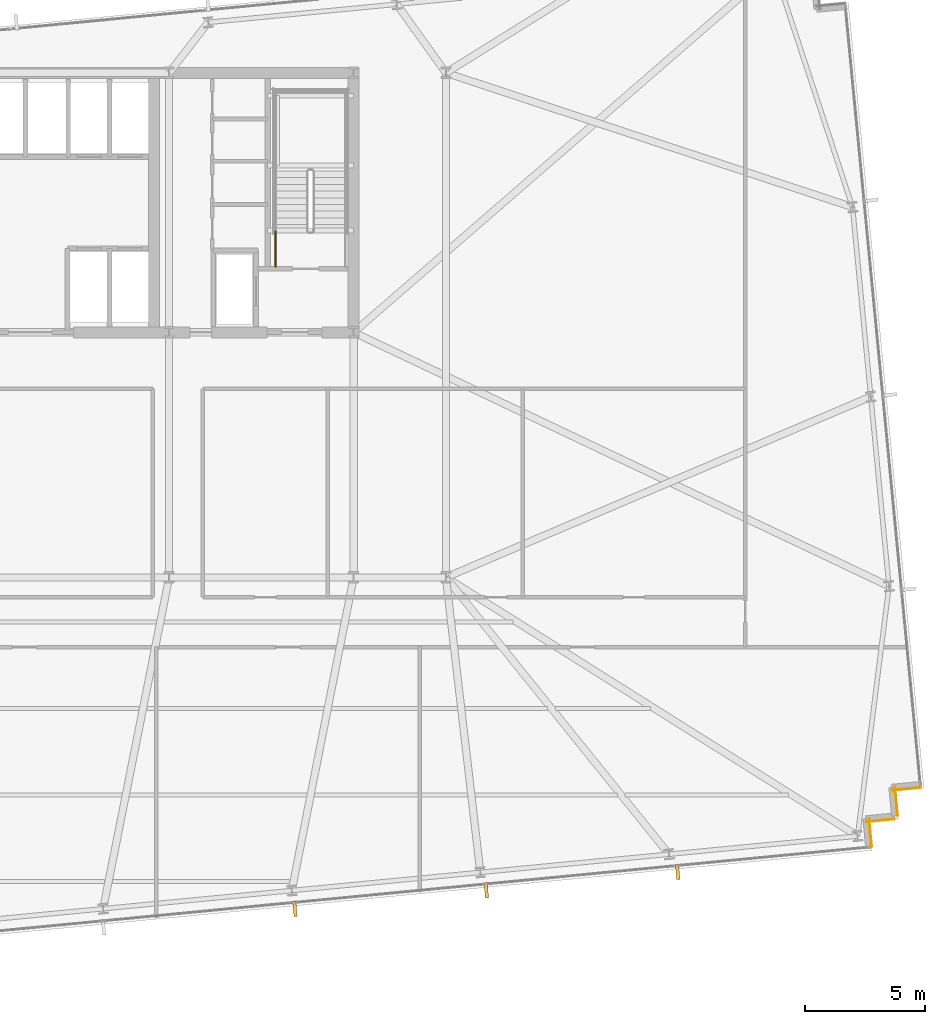
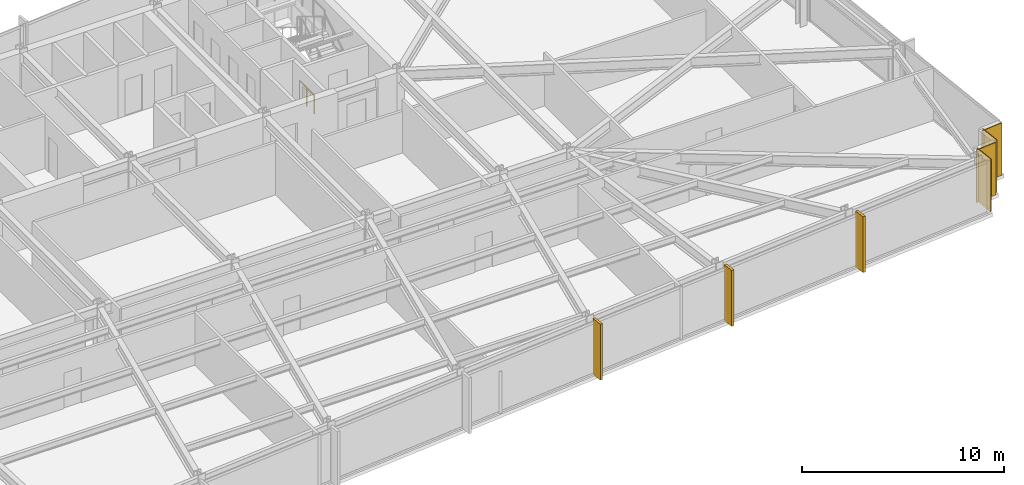
# One storey, part 29 of 32: 4 coverings, 3 shading devices, 1 railing.
"""IFC4 building model written with IfcOpenShell, lengths in metres."""

from ifc_helpers import new_model, si_unit, direction, frame, frame_2d, origin, origin_2d, place, context, subcontext, project, spatial, rectangle, circle, extrude, material, layer, layer_set, type_object, element, save


model = new_model("IFC4")

# Units and contexts
model_context = context("Model", 3, precision=1e-05, world=origin(), true_north=direction((0.0, 1.0)))
body_context = subcontext(model_context, "Body", "Model", "MODEL_VIEW")
ifc_project = project(units=[si_unit("LENGTHUNIT", "METRE"), si_unit("AREAUNIT", "SQUARE_METRE"), si_unit("VOLUMEUNIT", "CUBIC_METRE"), si_unit("PLANEANGLEUNIT", "RADIAN"), si_unit("MASSUNIT", "GRAM", prefix="KILO")], contexts=[model_context])

# Site, building, storey
site_placement = place(None, origin())
site = spatial("IfcSite", under=ifc_project, at=site_placement, CompositionType="ELEMENT")
building_placement = place(site_placement, origin())
building = spatial("IfcBuilding", under=site, at=building_placement, Name="Yelkora Congress Tower", CompositionType="ELEMENT")
storey_placement = place(building_placement, frame((0.0, 0.0, 99.89990234375)))
storey = spatial("IfcBuildingStorey", under=building, at=storey_placement, Name="L26", CompositionType="ELEMENT", Elevation=99.89990234375)

# Coverings
ifc_material_1 = material(Name="Anatolian bush-hammered limestone", Category="masonry")
ifc_layer_1 = layer(ifc_material_1, 0.0400390625)
ifc_layer_set_1 = layer_set([ifc_layer_1], Name="Anatolian bush-hammered limestone")
covering_type = type_object("IfcCoveringType", Name="COV-CLAD-SPANDREL-40", PredefinedType="CLADDING", material=ifc_layer_set_1)
for number, where, z_axis, x_axis, name in (
    (1, (77.360595703125, 16.451416015625, 0.0), (0.0, 0.0, 1.0), (-0.995377661201, -0.096038073607, 0.0), "L26 Anatolian Limestone Cladding EW-L26-SR16"),
    (2, (76.28759765625, 16.483642578125, 0.0), (0.0, 0.0, 1.0), (0.095836473879, -0.995397091755, 0.0), "L26 Anatolian Limestone Cladding EW-L26-SR17"),
    (3, (76.28125, 15.141845703125, 0.0), (0.0, 0.0, 1.0), (-0.995397091755, -0.095836473879, 0.0), "L26 Anatolian Limestone Cladding EW-L26-SR18"),
):
    element("IfcCovering", number, at=place(storey_placement, frame(where, z_axis=z_axis, x_axis=x_axis)), inside=storey, type_object=covering_type, Name=name, PredefinedType="CLADDING", context=body_context, shape_type="SweptSolid", body=[
        extrude(rectangle(XDim=1.199951171875, YDim=0.0400390625, at=frame_2d((0.60009765625, 0.0))), origin(), (0.0, 0.0, 1.0), 3.18017578125),
    ])
covering_placement = place(storey_placement, frame((75.208251953125, 15.17431640625, 0.0), z_axis=(0.0, 0.0, 1.0), x_axis=(0.095817067274, -0.995398960025, 0.0)))
element("IfcCovering", 4, at=covering_placement, inside=storey, type_object=covering_type, Name="L26 Anatolian Limestone Cladding EW-L26-SR19", PredefinedType="CLADDING", context=body_context, shape_type="SweptSolid", body=[
    extrude(rectangle(XDim=1.2001953125, YDim=0.0400390625, at=frame_2d((0.60009765625, 0.0))), origin(), (0.0, 0.0, 1.0), 3.18017578125),
])

# Railing
ifc_material_2 = material(Name="Painted galvanised steel stair well guard with vertical infill", Category="steel")
ifc_layer_2 = layer(ifc_material_2, 0.06005859375)
ifc_layer_set_2 = layer_set([ifc_layer_2], Name="Painted galvanised steel stair well guard with vertical infill")
railing_type = type_object("IfcRailingType", Name="RAIL-STAIR-GUARD-1120", PredefinedType="GUARDRAIL", material=ifc_layer_set_2)
railing_placement = place(storey_placement, frame((50.510009765625, 38.1201171875, 0.0)))
element("IfcRailing", 5, at=railing_placement, inside=storey, type_object=railing_type, Name="ST-02 L26 Stair Well Guardrail 9", PredefinedType="GUARDRAIL", context=body_context, shape_type="SweptSolid", body=[
    extrude(circle(Radius=0.02392578125, at=origin_2d()), frame((0.0, 0.0, 1.09619140625), z_axis=(0.0, 1.0, 0.0), x_axis=(-1.0, 0.0, 0.0)), (0.0, 0.0, 1.0), 1.47998046875),
    extrude(circle(Radius=0.02099609375, at=origin_2d()), origin(), (0.0, 0.0, 1.0), 1.072021484375),
    extrude(circle(Radius=0.02099609375, at=origin_2d()), frame((0.0, 0.739990234375, 0.0)), (0.0, 0.0, 1.0), 1.072021484375),
    extrude(circle(Radius=0.02099609375, at=origin_2d()), frame((0.0, 1.47998046875, 0.0)), (0.0, 0.0, 1.0), 1.072021484375),
])

# Shading devices
ifc_material_3 = material(Name="Champagne anodised aluminium", Category="aluminium")
ifc_layer_3 = layer(ifc_material_3, 3.39990234375)
ifc_layer_set_3 = layer_set([ifc_layer_3], Name="Champagne anodised aluminium")
shading_device_type = type_object("IfcShadingDeviceType", Name="SHD-FIN-ALU-640", PredefinedType="USERDEFINED", material=ifc_layer_set_3)
for number, where, z_axis, x_axis, name in (
    (6, (67.247802734375, 12.94091796875, -0.02978515625), (0.0, 0.0, 1.0), (-0.995396198367, -0.09584575252, 0.0), "L26 Vertical Anodised Solar Fin 20-1"),
    (7, (59.28173828125, 12.173828125, -0.02978515625), (0.0, 0.0, 1.0), (-0.995396198367, -0.09584575252, 0.0), "L26 Vertical Anodised Solar Fin 20-2"),
    (8, (51.315673828125, 11.40673828125, -0.02978515625), (0.0, 0.0, 1.0), (-0.995396198367, -0.09584575252, 0.0), "L26 Vertical Anodised Solar Fin 20-3"),
):
    element("IfcShadingDevice", number, at=place(storey_placement, frame(where, z_axis=z_axis, x_axis=x_axis)), inside=storey, type_object=shading_device_type, Name=name, ObjectType="FIN", PredefinedType="USERDEFINED", context=body_context, shape_type="SweptSolid", body=[
        extrude(rectangle(XDim=0.139892578125, YDim=0.639892578125, at=origin_2d()), origin(), (0.0, 0.0, 1.0), 3.3798828125),
    ])

save(model, "model.ifc")
